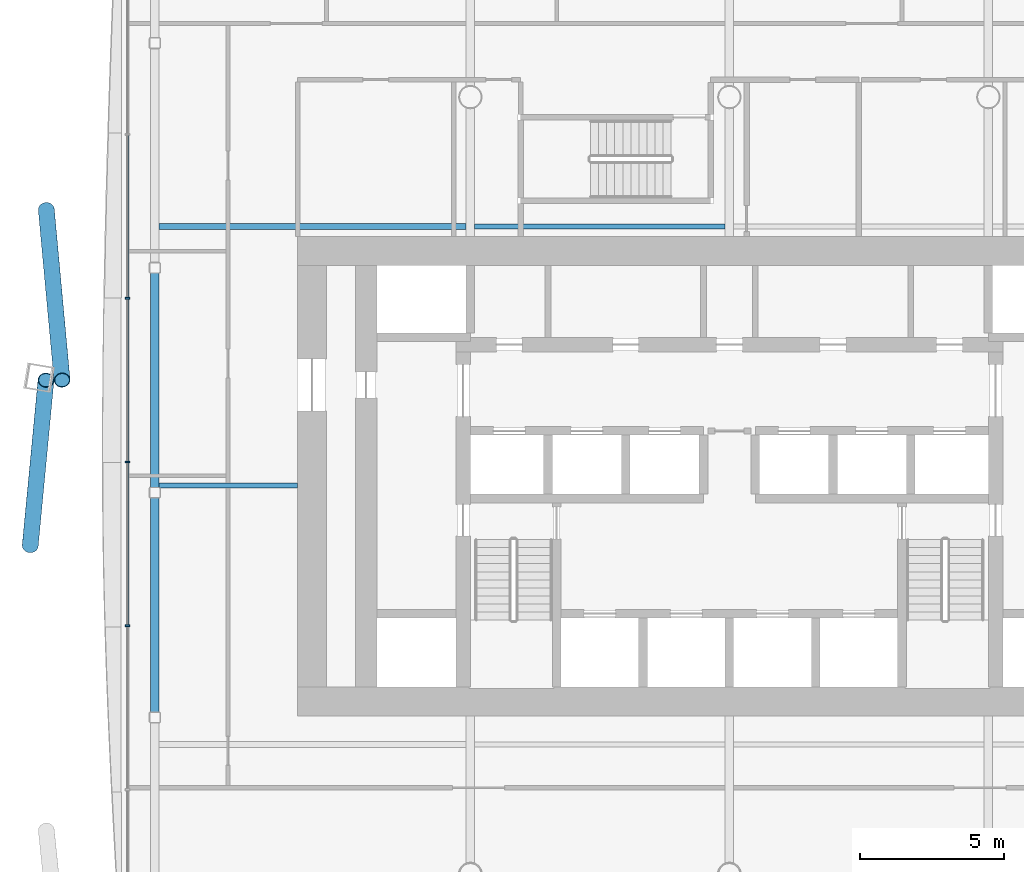
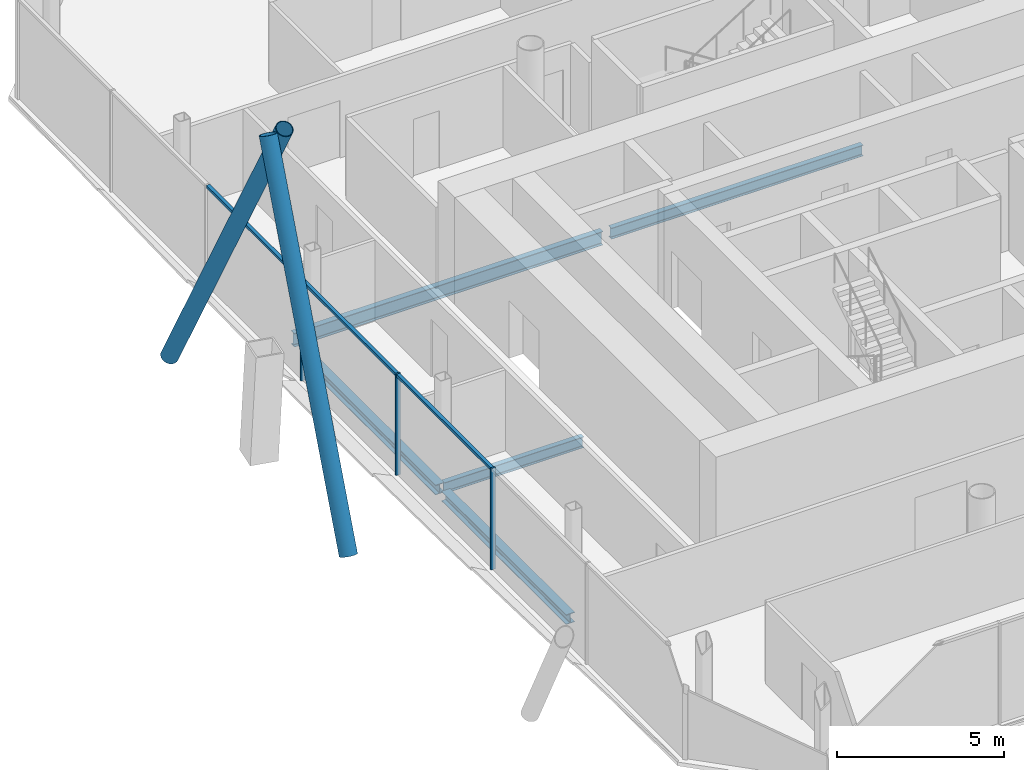
# One storey, part 5 of 22: 8 members, 5 beams, 1 element without a shape of its own.
"""IFC4 building model written with IfcOpenShell, lengths in metres."""

from ifc_helpers import new_model, si_unit, direction, frame, origin, origin_2d, place, context, subcontext, project, spatial, rectangle, hollow_circle, i_section, extrude, material, material_profile, profile_set, type_object, element, aggregate, save


model = new_model("IFC4")

# Units and contexts
model_context = context("Model", 3, precision=1e-05, world=origin(), true_north=direction((0.0, 1.0)))
body_context = subcontext(model_context, "Body", "Model", "MODEL_VIEW")
ifc_project = project(units=[si_unit("LENGTHUNIT", "METRE"), si_unit("AREAUNIT", "SQUARE_METRE"), si_unit("VOLUMEUNIT", "CUBIC_METRE"), si_unit("PLANEANGLEUNIT", "RADIAN"), si_unit("MASSUNIT", "GRAM", prefix="KILO")], contexts=[model_context])

# Site, building, storey
site_placement = place(None, origin())
site = spatial("IfcSite", under=ifc_project, at=site_placement, CompositionType="ELEMENT")
building_placement = place(site_placement, origin())
building = spatial("IfcBuilding", under=site, at=building_placement, Name="Tskaro Facet Tower", CompositionType="ELEMENT")
storey_placement = place(building_placement, frame((0.0, 0.0, 97.199951171875)))
storey = spatial("IfcBuildingStorey", under=building, at=storey_placement, Name="L23", CompositionType="ELEMENT", Elevation=97.199951171875)

# Members
ifc_material_1 = material(Name="Steel S355J2H", Category="steel")
ifc_material_profile_1 = material_profile(ifc_material_1, hollow_circle(Radius=0.279541015625, WallThickness=0.02490234375, at=origin_2d()), Name="CHS 559x25")
ifc_profile_set_1 = profile_set([ifc_material_profile_1], Name="Steel S355J2H")
member_type_1 = type_object("IfcMemberType", Name="CHS 559x25 brace", PredefinedType="BRACE", material=ifc_profile_set_1)
member_1_placement = place(storey_placement, frame((-23.735595703125, 5.0869140625, 0.0), z_axis=(0.041757808458, -0.451319137832, 0.891385057794), x_axis=(0.995746950943, 0.092130395024, 0.0)))
element("IfcMember", 1, at=member_1_placement, inside=storey, type_object=member_type_1, Name="CHS 559x25 XB10A/2", PredefinedType="BRACE", context=body_context, shape_type="SweptSolid", body=[
    extrude(hollow_circle(Radius=0.279541015625, WallThickness=0.02490234375, at=origin_2d()), origin(), (0.0, 0.0, 1.0), 13.12548828125),
])
member_2_placement = place(storey_placement, frame((-24.29443359375, -6.581787109375, 0.0), z_axis=(0.041994519137, 0.440362312746, 0.896837495802), x_axis=(-0.995483676483, 0.094932870257, 0.0)))
element("IfcMember", 2, at=member_2_placement, inside=storey, type_object=member_type_1, Name="CHS 559x25 XB11B/2", PredefinedType="BRACE", context=body_context, shape_type="SweptSolid", body=[
    extrude(hollow_circle(Radius=0.279541015625, WallThickness=0.02490234375, at=origin_2d()), origin(), (0.0, 0.0, 1.0), 13.0458984375),
])

# Curtain wall, members
ifc_material_2 = material(Name="Bronze anodised aluminium 6063-T6", Category="aluminium")
curtain_wall_type = type_object("IfcCurtainWallType", Name="Bronze office curtain wall (FW1)", PredefinedType="NOTDEFINED", material=ifc_material_2)
curtain_wall_placement = place(storey_placement, origin())
curtain_wall = element("IfcCurtainWall", 3, at=curtain_wall_placement, inside=storey, type_object=curtain_wall_type, Name="FW1 west facet L23", PredefinedType="NOTDEFINED")
ifc_material_profile_2 = material_profile(ifc_material_2, rectangle(XDim=0.06005859375, YDim=0.159912109375, at=origin_2d()), Name="Mullion 60x160")
ifc_profile_set_2 = profile_set([ifc_material_profile_2], Name="Bronze anodised aluminium 6063-T6")
member_type_2 = type_object("IfcMemberType", Name="FW1 bronze mullion 60x160", PredefinedType="MULLION", material=ifc_profile_set_2)
member_3_placement = place(storey_placement, frame((-20.9150390625, 2.0087890625, 0.0), z_axis=(0.0, 0.0, 1.0), x_axis=(0.0, -1.0, 0.0)))
member_3 = element("IfcMember", 4, at=member_3_placement, type_object=member_type_2, Name="FW1 west mullion 3", PredefinedType="MULLION", context=body_context, shape_type="SweptSolid", body=[
    extrude(rectangle(XDim=0.06005859375, YDim=0.159912109375, at=origin_2d()), origin(), (0.0, 0.0, 1.0), 3.699951171875),
])
member_4_placement = place(storey_placement, frame((-20.9150390625, -3.6826171875, 0.0), z_axis=(0.0, 0.0, 1.0), x_axis=(0.0, -1.0, 0.0)))
member_4 = element("IfcMember", 5, at=member_4_placement, type_object=member_type_2, Name="FW1 west mullion 4", PredefinedType="MULLION", context=body_context, shape_type="SweptSolid", body=[
    extrude(rectangle(XDim=0.06005859375, YDim=0.159912109375, at=origin_2d()), origin(), (0.0, 0.0, 1.0), 3.699951171875),
])
member_5_placement = place(storey_placement, frame((-20.9150390625, -9.3740234375, 0.0), z_axis=(0.0, 0.0, 1.0), x_axis=(0.0, -1.0, 0.0)))
member_5 = element("IfcMember", 6, at=member_5_placement, type_object=member_type_2, Name="FW1 west mullion 5", PredefinedType="MULLION", context=body_context, shape_type="SweptSolid", body=[
    extrude(rectangle(XDim=0.06005859375, YDim=0.159912109375, at=origin_2d()), origin(), (0.0, 0.0, 1.0), 3.699951171875),
])
ifc_material_profile_3 = material_profile(ifc_material_2, rectangle(XDim=0.1201171875, YDim=0.10009765625, at=origin_2d()), Name="Transom 120x100")
ifc_profile_set_3 = profile_set([ifc_material_profile_3], Name="Bronze anodised aluminium 6063-T6")
member_type_3 = type_object("IfcMemberType", Name="FW1 bronze transom 120x100", PredefinedType="USERDEFINED", material=ifc_profile_set_3)
member_6_placement = place(storey_placement, frame((-20.9150390625, 7.670166015625, 3.650146484375), z_axis=(0.0, -1.0, 0.0), x_axis=(1.0, 0.0, 0.0)))
member_6 = element("IfcMember", 7, at=member_6_placement, type_object=member_type_3, Name="FW1 west transom 3.1", ObjectType="TRANSOM", PredefinedType="USERDEFINED", context=body_context, shape_type="SweptSolid", body=[
    extrude(rectangle(XDim=0.1201171875, YDim=0.10009765625, at=origin_2d()), origin(), (0.0, 0.0, 1.0), 5.63134765625),
])
member_7_placement = place(storey_placement, frame((-20.9150390625, 1.978759765625, 3.650146484375), z_axis=(0.0, -1.0, 0.0), x_axis=(1.0, 0.0, 0.0)))
member_7 = element("IfcMember", 8, at=member_7_placement, type_object=member_type_3, Name="FW1 west transom 4.1", ObjectType="TRANSOM", PredefinedType="USERDEFINED", context=body_context, shape_type="SweptSolid", body=[
    extrude(rectangle(XDim=0.1201171875, YDim=0.10009765625, at=origin_2d()), origin(), (0.0, 0.0, 1.0), 5.631591796875),
])
member_8_placement = place(storey_placement, frame((-20.9150390625, -3.712646484375, 3.650146484375), z_axis=(0.0, -1.0, 0.0), x_axis=(1.0, 0.0, 0.0)))
member_8 = element("IfcMember", 9, at=member_8_placement, type_object=member_type_3, Name="FW1 west transom 5.1", ObjectType="TRANSOM", PredefinedType="USERDEFINED", context=body_context, shape_type="SweptSolid", body=[
    extrude(rectangle(XDim=0.1201171875, YDim=0.10009765625, at=origin_2d()), origin(), (0.0, 0.0, 1.0), 5.631591796875),
])
aggregate(curtain_wall, [member_3, member_4, member_5, member_6, member_7, member_8])

# Beams
ifc_material_3 = material(Name="Steel S355J2", Category="steel")
ifc_material_profile_4 = material_profile(ifc_material_3, i_section(OverallWidth=0.300048828125, OverallDepth=0.360107421875, WebThickness=0.012451171875, FlangeThickness=0.0224609375, FilletRadius=0.027099609375, at=origin_2d()), Name="HE 360 B")
ifc_profile_set_4 = profile_set([ifc_material_profile_4], Name="Steel S355J2")
beam_type_1 = type_object("IfcBeamType", Name="HE 360 B ring beam", PredefinedType="BEAM", material=ifc_profile_set_4)
beam_1_placement = place(storey_placement, frame((-19.965087890625, 2.887939453125, -0.320068359375), z_axis=(0.0, -1.0, 0.0), x_axis=(1.0, 0.0, 0.0)))
element("IfcBeam", 10, at=beam_1_placement, inside=storey, type_object=beam_type_1, Name="HE 360 B EB21-2", PredefinedType="BEAM", context=body_context, shape_type="SweptSolid", body=[
    extrude(i_section(OverallWidth=0.300048828125, OverallDepth=0.360107421875, WebThickness=0.012451171875, FlangeThickness=0.0224609375, FilletRadius=0.027099609375, at=origin_2d()), origin(), (0.0, 0.0, 1.0), 7.449951171875),
])
beam_2_placement = place(storey_placement, frame((-19.965087890625, -4.922119140625, -0.320068359375), z_axis=(0.0, -1.0, 0.0), x_axis=(1.0, 0.0, 0.0)))
element("IfcBeam", 11, at=beam_2_placement, inside=storey, type_object=beam_type_1, Name="HE 360 B EB22-2", PredefinedType="BEAM", context=body_context, shape_type="SweptSolid", body=[
    extrude(i_section(OverallWidth=0.300048828125, OverallDepth=0.360107421875, WebThickness=0.012451171875, FlangeThickness=0.0224609375, FilletRadius=0.027099609375, at=origin_2d()), origin(), (0.0, 0.0, 1.0), 7.450927734375),
])
ifc_material_profile_5 = material_profile(ifc_material_3, i_section(OverallWidth=0.179931640625, OverallDepth=0.39990234375, WebThickness=0.008544921875, FlangeThickness=0.013427734375, FilletRadius=0.02099609375, at=origin_2d()), Name="IPE 400")
ifc_profile_set_5 = profile_set([ifc_material_profile_5], Name="Steel S355J2")
beam_type_2 = type_object("IfcBeamType", Name="IPE 400 secondary beam", PredefinedType="BEAM", material=ifc_profile_set_5)
beam_3_placement = place(storey_placement, frame((-19.81494140625, -4.5, -0.33984375), z_axis=(1.0, 0.0, 0.0), x_axis=(0.0, 1.0, 0.0)))
element("IfcBeam", 12, at=beam_3_placement, inside=storey, type_object=beam_type_2, Name="IPE 400 SB3a-1-2", PredefinedType="BEAM", context=body_context, shape_type="SweptSolid", body=[
    extrude(i_section(OverallWidth=0.179931640625, OverallDepth=0.39990234375, WebThickness=0.008544921875, FlangeThickness=0.013427734375, FilletRadius=0.02099609375, at=origin_2d()), origin(), (0.0, 0.0, 1.0), 4.81494140625),
])
beam_4_placement = place(storey_placement, frame((-8.85009765625, 4.5, -0.33984375), z_axis=(1.0, 0.0, 0.0), x_axis=(0.0, 1.0, 0.0)))
element("IfcBeam", 13, at=beam_4_placement, inside=storey, type_object=beam_type_2, Name="IPE 400 SB4a-2-2", PredefinedType="BEAM", context=body_context, shape_type="SweptSolid", body=[
    extrude(i_section(OverallWidth=0.179931640625, OverallDepth=0.39990234375, WebThickness=0.008544921875, FlangeThickness=0.013427734375, FilletRadius=0.02099609375, at=origin_2d()), origin(), (0.0, 0.0, 1.0), 8.7001953125),
])
ifc_material_profile_6 = material_profile(ifc_material_3, i_section(OverallWidth=0.199951171875, OverallDepth=0.5, WebThickness=0.01025390625, FlangeThickness=0.01611328125, FilletRadius=0.02099609375, at=origin_2d()), Name="IPE 500")
ifc_profile_set_6 = profile_set([ifc_material_profile_6], Name="Steel S355J2")
beam_type_3 = type_object("IfcBeamType", Name="IPE 500 long secondary beam", PredefinedType="BEAM", material=ifc_profile_set_6)
beam_5_placement = place(storey_placement, frame((-19.81494140625, 4.5, -0.389892578125), z_axis=(1.0, 0.0, 0.0), x_axis=(0.0, 1.0, 0.0)))
element("IfcBeam", 14, at=beam_5_placement, inside=storey, type_object=beam_type_3, Name="IPE 500 LSB4a-1-2", PredefinedType="BEAM", context=body_context, shape_type="SweptSolid", body=[
    extrude(i_section(OverallWidth=0.199951171875, OverallDepth=0.5, WebThickness=0.01025390625, FlangeThickness=0.01611328125, FilletRadius=0.02099609375, at=origin_2d()), origin(), (0.0, 0.0, 1.0), 10.6650390625),
])

save(model, "model.ifc")
